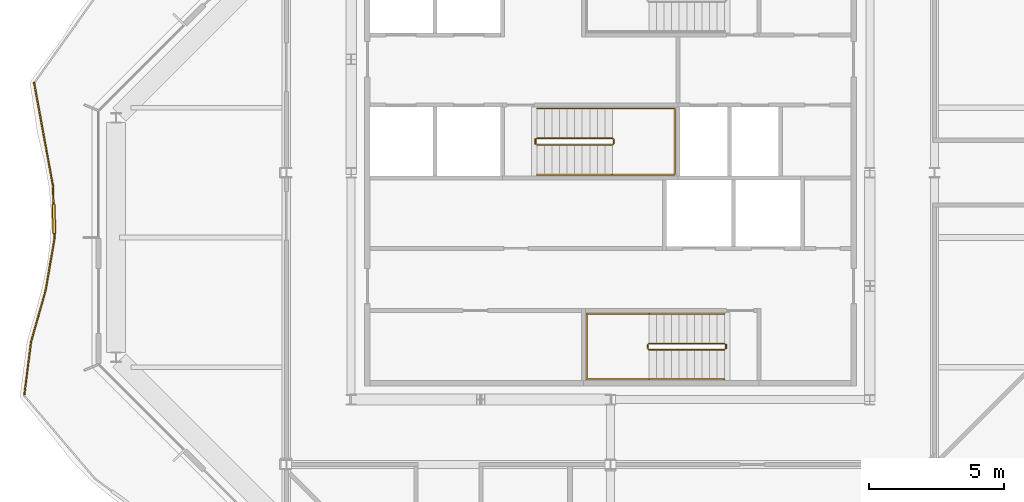
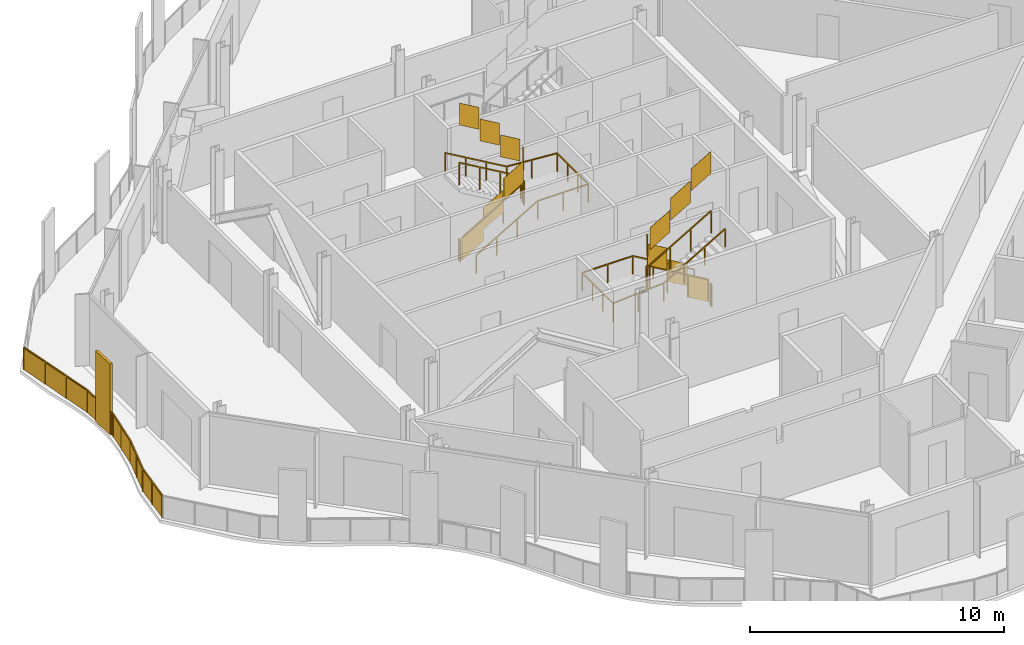
# One storey, part 14 of 17: 7 railings.
"""IFC4 building model written with IfcOpenShell, lengths in metres."""

from ifc_helpers import new_model, si_unit, direction, frame, origin, origin_2d, place, context, subcontext, project, spatial, polyline, rectangle, outline, extrude, material, type_object, element, save


model = new_model("IFC4")

# Units and contexts
model_context = context("Model", 3, precision=1e-05, world=origin(), true_north=direction((0.0, 1.0)))
body_context = subcontext(model_context, "Body", "Model", "MODEL_VIEW")
ifc_project = project(units=[si_unit("LENGTHUNIT", "METRE"), si_unit("AREAUNIT", "SQUARE_METRE"), si_unit("VOLUMEUNIT", "CUBIC_METRE"), si_unit("PLANEANGLEUNIT", "RADIAN"), si_unit("MASSUNIT", "GRAM", prefix="KILO")], contexts=[model_context])

# Site, building, storey
site_placement = place(None, origin())
site = spatial("IfcSite", under=ifc_project, at=site_placement, CompositionType="ELEMENT")
building_placement = place(site_placement, origin())
building = spatial("IfcBuilding", under=site, at=building_placement, Name="Cairn Pilgrim Tower", CompositionType="ELEMENT")
storey_placement = place(building_placement, frame((0.0, 0.0, 281.39990234375)))
storey = spatial("IfcBuildingStorey", under=building, at=storey_placement, Name="L72", CompositionType="ELEMENT", Elevation=281.39990234375)

# Railings
ifc_material_1 = material(Name="Bronze anodised aluminium rail, posts and fin screens with laminated glass infill", Category="aluminium")
railing_type_1 = type_object("IfcRailingType", Name="BALCONY GUARD WITH FIN SCREENS", PredefinedType="GUARDRAIL", material=ifc_material_1)
railing_1_placement = place(storey_placement, frame((-14.132568359375, 5.7138671875, 0.0)))
element("IfcRailing", 1, at=railing_1_placement, inside=storey, type_object=railing_type_1, Name="Balcony guard BGF-7 with fin screens", PredefinedType="GUARDRAIL", context=body_context, shape_type="SweptSolid", body=[
    extrude(rectangle(XDim=0.050048828125, YDim=0.050048828125, at=origin_2d()), frame((0.0, 0.0, 1.0751953125), z_axis=(0.180149515491, -0.98363923878, 0.0), x_axis=(0.98363923878, 0.180149515491, 0.0)), (0.0, 0.0, 1.0), 3.840576171875),
    extrude(rectangle(XDim=1.10009765625, YDim=0.110107421875, at=origin_2d()), frame((0.734375, -5.0244140625, 0.0), z_axis=(0.0, 0.0, 1.0), x_axis=(0.033974354372, -0.999422704988, 0.0)), (0.0, 0.0, 1.0), 3.39990234375),
    extrude(rectangle(XDim=0.050048828125, YDim=0.050048828125, at=origin_2d()), frame((0.69189453125, -3.77783203125, 1.0751953125), z_axis=(0.033974354372, -0.999422704988, 0.0), x_axis=(0.999422704988, 0.033974354372, 0.0)), (0.0, 0.0, 1.0), 0.697265625),
    extrude(rectangle(XDim=0.050048828125, YDim=0.050048828125, at=origin_2d()), frame((0.7529296875, -5.57421875, 1.0751953125), z_axis=(0.033974354372, -0.999422704988, 0.0), x_axis=(0.999422704988, 0.033974354372, 0.0)), (0.0, 0.0, 1.0), 0.150146484375),
    extrude(rectangle(XDim=0.050048828125, YDim=0.050048828125, at=origin_2d()), frame((0.758056640625, -5.72412109375, 1.0751953125), z_axis=(-0.168334625115, -0.985729909249, 0.0), x_axis=(0.985729909249, -0.168334625115, 0.0)), (0.0, 0.0, 1.0), 1.970947265625),
    extrude(rectangle(XDim=0.050048828125, YDim=0.050048828125, at=origin_2d()), frame((0.42626953125, -7.6669921875, 1.0751953125), z_axis=(-0.272211131733, -0.962237548509, 0.0), x_axis=(0.962237548509, -0.272211131733, 0.0)), (0.0, 0.0, 1.0), 1.991943359375),
    extrude(rectangle(XDim=0.050048828125, YDim=0.050048828125, at=origin_2d()), frame((-0.115966796875, -9.583740234375, 1.0751953125), z_axis=(-0.125506474074, -0.992092800581, 0.0), x_axis=(0.992092800581, -0.125506474074, 0.0)), (0.0, 0.0, 1.0), 1.939453125),
    extrude(rectangle(XDim=0.050048828125, YDim=0.050048828125, at=origin_2d()), origin(), (0.0, 0.0, 1.0), 1.050048828125),
    extrude(rectangle(XDim=0.050048828125, YDim=0.050048828125, at=origin_2d()), frame((0.230712890625, -1.25927734375, 0.0)), (0.0, 0.0, 1.0), 1.050048828125),
    extrude(rectangle(XDim=0.050048828125, YDim=0.050048828125, at=origin_2d()), frame((0.461181640625, -2.5185546875, 0.0)), (0.0, 0.0, 1.0), 1.050048828125),
    extrude(rectangle(XDim=0.050048828125, YDim=0.050048828125, at=origin_2d()), frame((0.69189453125, -3.77783203125, 0.0)), (0.0, 0.0, 1.0), 1.050048828125),
    extrude(rectangle(XDim=0.050048828125, YDim=0.050048828125, at=origin_2d()), frame((0.71484375, -4.44970703125, 0.0)), (0.0, 0.0, 1.0), 1.050048828125),
    extrude(rectangle(XDim=0.050048828125, YDim=0.050048828125, at=origin_2d()), frame((0.75390625, -5.59912109375, 0.0)), (0.0, 0.0, 1.0), 1.050048828125),
    extrude(rectangle(XDim=0.050048828125, YDim=0.050048828125, at=origin_2d()), frame((0.758056640625, -5.72412109375, 0.0)), (0.0, 0.0, 1.0), 1.050048828125),
    extrude(rectangle(XDim=0.050048828125, YDim=0.050048828125, at=origin_2d()), frame((0.59228515625, -6.695556640625, 0.0)), (0.0, 0.0, 1.0), 1.050048828125),
    extrude(rectangle(XDim=0.050048828125, YDim=0.050048828125, at=origin_2d()), frame((0.42626953125, -7.6669921875, 0.0)), (0.0, 0.0, 1.0), 1.050048828125),
    extrude(rectangle(XDim=0.050048828125, YDim=0.050048828125, at=origin_2d()), frame((0.1552734375, -8.62548828125, 0.0)), (0.0, 0.0, 1.0), 1.050048828125),
    extrude(rectangle(XDim=0.050048828125, YDim=0.050048828125, at=origin_2d()), frame((-0.115966796875, -9.583740234375, 0.0)), (0.0, 0.0, 1.0), 1.050048828125),
    extrude(rectangle(XDim=0.050048828125, YDim=0.050048828125, at=origin_2d()), frame((-0.23779296875, -10.5458984375, 0.0)), (0.0, 0.0, 1.0), 1.050048828125),
    extrude(rectangle(XDim=0.050048828125, YDim=0.050048828125, at=origin_2d()), frame((-0.359375, -11.5078125, 0.0)), (0.0, 0.0, 1.0), 1.050048828125),
    extrude(outline(polyline([(0.02490234375, 0.0), (1.255126953125, 0.0), (1.255126953125, 1.050048828125), (0.02490234375, 1.050048828125), (0.02490234375, 0.0)])), frame((0.005859375, 0.0009765625, 0.0), z_axis=(-0.98363923878, -0.180149515491, 0.0), x_axis=(0.180149515491, -0.98363923878, 0.0)), (0.0, 0.0, 1.0), 0.011962890625),
    extrude(outline(polyline([(0.02490234375, 0.0), (1.255126953125, 0.0), (1.255126953125, 1.050048828125), (0.02490234375, 1.050048828125), (0.02490234375, 0.0)])), frame((0.236572265625, -1.25830078125, 0.0), z_axis=(-0.98363923878, -0.180149515491, 0.0), x_axis=(0.180149515491, -0.98363923878, 0.0)), (0.0, 0.0, 1.0), 0.011962890625),
    extrude(outline(polyline([(0.02490234375, 0.0), (1.255126953125, 0.0), (1.255126953125, 1.050048828125), (0.02490234375, 1.050048828125), (0.02490234375, 0.0)])), frame((0.467041015625, -2.517578125, 0.0), z_axis=(-0.98363923878, -0.180149515491, 0.0), x_axis=(0.180149515491, -0.98363923878, 0.0)), (0.0, 0.0, 1.0), 0.011962890625),
    extrude(outline(polyline([(0.02490234375, 0.0), (0.647216796875, 0.0), (0.647216796875, 1.050048828125), (0.02490234375, 1.050048828125), (0.02490234375, 0.0)])), frame((0.69775390625, -3.777587890625, 0.0), z_axis=(-0.999422704988, -0.033974354372, 0.0), x_axis=(0.033974354372, -0.999422704988, 0.0)), (0.0, 0.0, 1.0), 0.011962890625),
    extrude(outline(polyline([(0.02490234375, 0.0), (0.10009765625, 0.0), (0.10009765625, 1.050048828125), (0.02490234375, 1.050048828125), (0.02490234375, 0.0)])), frame((0.759765625, -5.598876953125, 0.0), z_axis=(-0.999422704988, -0.033974354372, 0.0), x_axis=(0.033974354372, -0.999422704988, 0.0)), (0.0, 0.0, 1.0), 0.011962890625),
    extrude(outline(polyline([(0.02490234375, 0.0), (0.96044921875, 0.0), (0.96044921875, 1.050048828125), (0.02490234375, 1.050048828125), (0.02490234375, 0.0)])), frame((0.763916015625, -5.72509765625, 0.0), z_axis=(-0.985729909249, 0.168334625115, 0.0), x_axis=(-0.168334625115, -0.985729909249, 0.0)), (0.0, 0.0, 1.0), 0.011962890625),
    extrude(outline(polyline([(0.02490234375, 0.0), (0.96044921875, 0.0), (0.96044921875, 1.050048828125), (0.02490234375, 1.050048828125), (0.02490234375, 0.0)])), frame((0.59814453125, -6.696533203125, 0.0), z_axis=(-0.985729909249, 0.168334625115, 0.0), x_axis=(-0.168334625115, -0.985729909249, 0.0)), (0.0, 0.0, 1.0), 0.011962890625),
    extrude(outline(polyline([(0.02490234375, 0.0), (0.970947265625, 0.0), (0.970947265625, 1.050048828125), (0.02490234375, 1.050048828125), (0.02490234375, 0.0)])), frame((0.43212890625, -7.668701171875, 0.0), z_axis=(-0.962237548509, 0.272211131733, 0.0), x_axis=(-0.272211131733, -0.962237548509, 0.0)), (0.0, 0.0, 1.0), 0.011962890625),
    extrude(outline(polyline([(0.02490234375, 0.0), (0.970947265625, 0.0), (0.970947265625, 1.050048828125), (0.02490234375, 1.050048828125), (0.02490234375, 0.0)])), frame((0.160888671875, -8.626953125, 0.0), z_axis=(-0.962237548509, 0.272211131733, 0.0), x_axis=(-0.272211131733, -0.962237548509, 0.0)), (0.0, 0.0, 1.0), 0.011962890625),
    extrude(outline(polyline([(0.02490234375, 0.0), (0.944580078125, 0.0), (0.944580078125, 1.050048828125), (0.02490234375, 1.050048828125), (0.02490234375, 0.0)])), frame((-0.110107421875, -9.58447265625, 0.0), z_axis=(-0.992092800581, 0.125506474074, 0.0), x_axis=(-0.125506474074, -0.992092800581, 0.0)), (0.0, 0.0, 1.0), 0.011962890625),
    extrude(outline(polyline([(0.02490234375, 0.0), (0.944580078125, 0.0), (0.944580078125, 1.050048828125), (0.02490234375, 1.050048828125), (0.02490234375, 0.0)])), frame((-0.231689453125, -10.546630859375, 0.0), z_axis=(-0.992092800581, 0.125506474074, 0.0), x_axis=(-0.125506474074, -0.992092800581, 0.0)), (0.0, 0.0, 1.0), 0.011962890625),
])
ifc_material_2 = material(Name="Painted steel", Category="steel")
railing_type_2 = type_object("IfcRailingType", Name="STAIR GUARD 1100", PredefinedType="GUARDRAIL", material=ifc_material_2)
railing_2_placement = place(storey_placement, frame((11.425048828125, -3.925048828125, 0.163818359375)))
element("IfcRailing", 2, at=railing_2_placement, inside=storey, type_object=railing_type_2, Name="L72 ST-A stair guard 1", PredefinedType="GUARDRAIL", context=body_context, shape_type="SweptSolid", body=[
    extrude(rectangle(XDim=0.048095703125, YDim=0.048095703125, at=origin_2d()), frame((0.0, 0.0, 1.076171875), z_axis=(-0.863393664356, 0.0, 0.504530851732), x_axis=(0.0, -1.0, 0.0)), (0.0, 0.0, 1.0), 3.2431640625),
    extrude(rectangle(XDim=0.048095703125, YDim=0.048095703125, at=origin_2d()), frame((-2.800048828125, 0.0, 2.71240234375), z_axis=(-0.707106781187, -0.707106781187, 0.0), x_axis=(0.707106781187, -0.707106781187, 0.0)), (0.0, 0.0, 1.0), 0.07080078125),
    extrude(rectangle(XDim=0.048095703125, YDim=0.048095703125, at=origin_2d()), frame((-2.85009765625, -0.050048828125, 2.71240234375), z_axis=(0.0, -1.0, 0.0), x_axis=(1.0, 0.0, 0.0)), (0.0, 0.0, 1.0), 0.125),
    extrude(rectangle(XDim=0.048095703125, YDim=0.048095703125, at=origin_2d()), frame((-2.85009765625, -0.175048828125, 2.71240234375), z_axis=(0.280916556609, -0.279546231943, 0.91811752648), x_axis=(0.705375805398, 0.708833529934, 0.0)), (0.0, 0.0, 1.0), 0.17822265625),
    extrude(rectangle(XDim=0.048095703125, YDim=0.048095703125, at=origin_2d()), frame((-2.800048828125, -0.224853515625, 2.8759765625), z_axis=(0.863360870873, 0.0, 0.504586966384), x_axis=(0.0, 1.0, 0.0)), (0.0, 0.0, 1.0), 3.2431640625),
    extrude(rectangle(XDim=0.0419921875, YDim=0.0419921875, at=origin_2d()), origin(), (0.0, 0.0, 1.0), 1.052001953125),
    extrude(rectangle(XDim=0.0419921875, YDim=0.0419921875, at=origin_2d()), frame((-0.933349609375, 0.0, 0.54541015625)), (0.0, 0.0, 1.0), 1.052001953125),
    extrude(rectangle(XDim=0.0419921875, YDim=0.0419921875, at=origin_2d()), frame((-1.86669921875, 0.0, 1.0908203125)), (0.0, 0.0, 1.0), 1.052001953125),
    extrude(rectangle(XDim=0.0419921875, YDim=0.0419921875, at=origin_2d()), frame((-2.800048828125, 0.0, 1.63623046875)), (0.0, 0.0, 1.0), 1.052001953125),
    extrude(rectangle(XDim=0.0419921875, YDim=0.0419921875, at=origin_2d()), frame((-2.85009765625, -0.050048828125, 1.63623046875)), (0.0, 0.0, 1.0), 1.052001953125),
    extrude(rectangle(XDim=0.0419921875, YDim=0.0419921875, at=origin_2d()), frame((-2.85009765625, -0.175048828125, 1.63623046875)), (0.0, 0.0, 1.0), 1.052001953125),
    extrude(rectangle(XDim=0.0419921875, YDim=0.0419921875, at=origin_2d()), frame((-2.800048828125, -0.224853515625, 1.7998046875)), (0.0, 0.0, 1.0), 1.052001953125),
    extrude(rectangle(XDim=0.0419921875, YDim=0.0419921875, at=origin_2d()), frame((-1.86669921875, -0.224853515625, 2.34521484375)), (0.0, 0.0, 1.0), 1.052001953125),
    extrude(rectangle(XDim=0.0419921875, YDim=0.0419921875, at=origin_2d()), frame((-0.933349609375, -0.224853515625, 2.890869140625)), (0.0, 0.0, 1.0), 1.052001953125),
    extrude(rectangle(XDim=0.0419921875, YDim=0.0419921875, at=origin_2d()), frame((0.0, -0.224853515625, 3.436279296875)), (0.0, 0.0, 1.0), 1.052001953125),
    extrude(outline(polyline([(0.02099609375, 0.01220703125), (0.912353515625, 0.533203125), (0.912353515625, 1.585205078125), (0.02099609375, 1.064208984375), (0.02099609375, 0.01220703125)])), frame((0.0, -0.005859375, 0.0), z_axis=(0.0, 1.0, 0.0), x_axis=(-1.0, 0.0, 0.0)), (0.0, 0.0, 1.0), 0.011962890625),
    extrude(outline(polyline([(0.02099609375, 0.5576171875), (0.912353515625, 1.07861328125), (0.912353515625, 2.130615234375), (0.02099609375, 1.609619140625), (0.02099609375, 0.5576171875)])), frame((-0.933349609375, -0.005859375, 0.54541015625), z_axis=(0.0, 1.0, 0.0), x_axis=(-1.0, 0.0, 0.0)), (0.0, 0.0, 1.0), 0.011962890625),
    extrude(outline(polyline([(0.02099609375, 1.10302734375), (0.912353515625, 1.6240234375), (0.912353515625, 2.676025390625), (0.02099609375, 2.155029296875), (0.02099609375, 1.10302734375)])), frame((-1.86669921875, -0.005859375, 1.0908203125), z_axis=(0.0, 1.0, 0.0), x_axis=(-1.0, 0.0, 0.0)), (0.0, 0.0, 1.0), 0.011962890625),
    extrude(outline(polyline([(0.02099609375, 1.63623046875), (0.10400390625, 1.63623046875), (0.10400390625, 2.688232421875), (0.02099609375, 2.688232421875), (0.02099609375, 1.63623046875)])), frame((-2.84423828125, -0.050048828125, 1.63623046875), z_axis=(-1.0, 0.0, 0.0), x_axis=(0.0, -1.0, 0.0)), (0.0, 0.0, 1.0), 0.011962890625),
    extrude(outline(polyline([(0.02099609375, 1.81201171875), (0.912353515625, 2.3330078125), (0.912353515625, 3.385009765625), (0.02099609375, 2.864013671875), (0.02099609375, 1.81201171875)])), frame((-2.800048828125, -0.21875, 1.7998046875), z_axis=(0.0, -1.0, 0.0), x_axis=(1.0, 0.0, 0.0)), (0.0, 0.0, 1.0), 0.011962890625),
    extrude(outline(polyline([(0.02099609375, 2.357666015625), (0.912353515625, 2.87841796875), (0.912353515625, 3.930419921875), (0.02099609375, 3.40966796875), (0.02099609375, 2.357666015625)])), frame((-1.86669921875, -0.21875, 2.34521484375), z_axis=(0.0, -1.0, 0.0), x_axis=(1.0, 0.0, 0.0)), (0.0, 0.0, 1.0), 0.011962890625),
    extrude(outline(polyline([(0.02099609375, 2.903076171875), (0.912353515625, 3.424072265625), (0.912353515625, 4.47607421875), (0.02099609375, 3.955078125), (0.02099609375, 2.903076171875)])), frame((-0.933349609375, -0.21875, 2.890869140625), z_axis=(0.0, -1.0, 0.0), x_axis=(1.0, 0.0, 0.0)), (0.0, 0.0, 1.0), 0.011962890625),
])
railing_3_placement = place(storey_placement, frame((11.47509765625, -3.97509765625, 0.0)))
element("IfcRailing", 3, at=railing_3_placement, inside=storey, type_object=railing_type_2, Name="L72 ST-A stair guard 2", PredefinedType="GUARDRAIL", context=body_context, shape_type="SweptSolid", body=[
    extrude(rectangle(XDim=0.048095703125, YDim=0.048095703125, at=origin_2d()), frame((0.0, 0.0, 1.076171875), z_axis=(0.0, -1.0, 0.0), x_axis=(1.0, 0.0, 0.0)), (0.0, 0.0, 1.0), 0.125),
    extrude(rectangle(XDim=0.0419921875, YDim=0.0419921875, at=origin_2d()), origin(), (0.0, 0.0, 1.0), 1.052001953125),
    extrude(rectangle(XDim=0.0419921875, YDim=0.0419921875, at=origin_2d()), frame((0.0, -0.125, 0.0)), (0.0, 0.0, 1.0), 1.052001953125),
    extrude(outline(polyline([(0.02099609375, 0.0), (0.10400390625, 0.0), (0.10400390625, 1.052001953125), (0.02099609375, 1.052001953125), (0.02099609375, 0.0)])), frame((0.005859375, 0.0, 0.0), z_axis=(-1.0, 0.0, 0.0), x_axis=(0.0, -1.0, 0.0)), (0.0, 0.0, 1.0), 0.011962890625),
])
railing_4_placement = place(storey_placement, frame((4.47509765625, 3.425048828125, 0.163818359375)))
element("IfcRailing", 4, at=railing_4_placement, inside=storey, type_object=railing_type_2, Name="L72 ST-B stair guard 1", PredefinedType="GUARDRAIL", context=body_context, shape_type="SweptSolid", body=[
    extrude(rectangle(XDim=0.048095703125, YDim=0.048095703125, at=origin_2d()), frame((0.0, 0.0, 1.076171875), z_axis=(0.863374499697, 0.0, 0.504563646405), x_axis=(0.0, 1.0, 0.0)), (0.0, 0.0, 1.0), 3.242919921875),
    extrude(rectangle(XDim=0.048095703125, YDim=0.048095703125, at=origin_2d()), frame((2.7998046875, 0.0, 2.71240234375), z_axis=(0.707106781187, 0.707106781187, 0.0), x_axis=(-0.707106781187, 0.707106781187, 0.0)), (0.0, 0.0, 1.0), 0.07080078125),
    extrude(rectangle(XDim=0.048095703125, YDim=0.048095703125, at=origin_2d()), frame((2.849853515625, 0.050048828125, 2.71240234375), z_axis=(0.0, 1.0, 0.0), x_axis=(-1.0, 0.0, 0.0)), (0.0, 0.0, 1.0), 0.14990234375),
    extrude(rectangle(XDim=0.048095703125, YDim=0.048095703125, at=origin_2d()), frame((2.849853515625, 0.199951171875, 2.71240234375), z_axis=(-0.280808744504, 0.280808744504, 0.917765164963), x_axis=(-0.707106781187, -0.707106781187, 0.0)), (0.0, 0.0, 1.0), 0.17822265625),
    extrude(rectangle(XDim=0.048095703125, YDim=0.048095703125, at=origin_2d()), frame((2.7998046875, 0.25, 2.8759765625), z_axis=(-0.863341702679, 0.0, 0.504619762213), x_axis=(0.0, -1.0, 0.0)), (0.0, 0.0, 1.0), 3.242919921875),
    extrude(rectangle(XDim=0.0419921875, YDim=0.0419921875, at=origin_2d()), origin(), (0.0, 0.0, 1.0), 1.052001953125),
    extrude(rectangle(XDim=0.0419921875, YDim=0.0419921875, at=origin_2d()), frame((0.933349609375, 0.0, 0.54541015625)), (0.0, 0.0, 1.0), 1.052001953125),
    extrude(rectangle(XDim=0.0419921875, YDim=0.0419921875, at=origin_2d()), frame((1.866455078125, 0.0, 1.0908203125)), (0.0, 0.0, 1.0), 1.052001953125),
    extrude(rectangle(XDim=0.0419921875, YDim=0.0419921875, at=origin_2d()), frame((2.7998046875, 0.0, 1.63623046875)), (0.0, 0.0, 1.0), 1.052001953125),
    extrude(rectangle(XDim=0.0419921875, YDim=0.0419921875, at=origin_2d()), frame((2.849853515625, 0.050048828125, 1.63623046875)), (0.0, 0.0, 1.0), 1.052001953125),
    extrude(rectangle(XDim=0.0419921875, YDim=0.0419921875, at=origin_2d()), frame((2.849853515625, 0.199951171875, 1.63623046875)), (0.0, 0.0, 1.0), 1.052001953125),
    extrude(rectangle(XDim=0.0419921875, YDim=0.0419921875, at=origin_2d()), frame((2.7998046875, 0.25, 1.7998046875)), (0.0, 0.0, 1.0), 1.052001953125),
    extrude(rectangle(XDim=0.0419921875, YDim=0.0419921875, at=origin_2d()), frame((1.866455078125, 0.25, 2.34521484375)), (0.0, 0.0, 1.0), 1.052001953125),
    extrude(rectangle(XDim=0.0419921875, YDim=0.0419921875, at=origin_2d()), frame((0.933349609375, 0.25, 2.890869140625)), (0.0, 0.0, 1.0), 1.052001953125),
    extrude(rectangle(XDim=0.0419921875, YDim=0.0419921875, at=origin_2d()), frame((0.0, 0.25, 3.436279296875)), (0.0, 0.0, 1.0), 1.052001953125),
    extrude(outline(polyline([(0.02099609375, 0.01220703125), (0.912353515625, 0.533203125), (0.912353515625, 1.585205078125), (0.02099609375, 1.064208984375), (0.02099609375, 0.01220703125)])), frame((0.0, 0.005859375, 0.0), z_axis=(0.0, -1.0, 0.0), x_axis=(1.0, 0.0, 0.0)), (0.0, 0.0, 1.0), 0.011962890625),
    extrude(outline(polyline([(0.02099609375, 0.5576171875), (0.912353515625, 1.07861328125), (0.912353515625, 2.130615234375), (0.02099609375, 1.609619140625), (0.02099609375, 0.5576171875)])), frame((0.933349609375, 0.005859375, 0.54541015625), z_axis=(0.0, -1.0, 0.0), x_axis=(1.0, 0.0, 0.0)), (0.0, 0.0, 1.0), 0.011962890625),
    extrude(outline(polyline([(0.02099609375, 1.10302734375), (0.912353515625, 1.6240234375), (0.912353515625, 2.676025390625), (0.02099609375, 2.155029296875), (0.02099609375, 1.10302734375)])), frame((1.866455078125, 0.005859375, 1.0908203125), z_axis=(0.0, -1.0, 0.0), x_axis=(1.0, 0.0, 0.0)), (0.0, 0.0, 1.0), 0.011962890625),
    extrude(outline(polyline([(0.02099609375, 1.63623046875), (0.12890625, 1.63623046875), (0.12890625, 2.688232421875), (0.02099609375, 2.688232421875), (0.02099609375, 1.63623046875)])), frame((2.84375, 0.050048828125, 1.63623046875), z_axis=(1.0, 0.0, 0.0), x_axis=(0.0, 1.0, 0.0)), (0.0, 0.0, 1.0), 0.011962890625),
    extrude(outline(polyline([(0.02099609375, 1.81201171875), (0.912353515625, 2.3330078125), (0.912353515625, 3.385009765625), (0.02099609375, 2.864013671875), (0.02099609375, 1.81201171875)])), frame((2.7998046875, 0.244140625, 1.7998046875), z_axis=(0.0, 1.0, 0.0), x_axis=(-1.0, 0.0, 0.0)), (0.0, 0.0, 1.0), 0.011962890625),
    extrude(outline(polyline([(0.02099609375, 2.357666015625), (0.912353515625, 2.87841796875), (0.912353515625, 3.930419921875), (0.02099609375, 3.40966796875), (0.02099609375, 2.357666015625)])), frame((1.866455078125, 0.244140625, 2.34521484375), z_axis=(0.0, 1.0, 0.0), x_axis=(-1.0, 0.0, 0.0)), (0.0, 0.0, 1.0), 0.011962890625),
    extrude(outline(polyline([(0.02099609375, 2.903076171875), (0.912353515625, 3.424072265625), (0.912353515625, 4.47607421875), (0.02099609375, 3.955078125), (0.02099609375, 2.903076171875)])), frame((0.933349609375, 0.244140625, 2.890869140625), z_axis=(0.0, 1.0, 0.0), x_axis=(-1.0, 0.0, 0.0)), (0.0, 0.0, 1.0), 0.011962890625),
])
railing_5_placement = place(storey_placement, frame((4.425048828125, 3.47509765625, 0.0)))
element("IfcRailing", 5, at=railing_5_placement, inside=storey, type_object=railing_type_2, Name="L72 ST-B stair guard 2", PredefinedType="GUARDRAIL", context=body_context, shape_type="SweptSolid", body=[
    extrude(rectangle(XDim=0.048095703125, YDim=0.048095703125, at=origin_2d()), frame((0.0, 0.0, 1.076171875), z_axis=(0.0, 1.0, 0.0), x_axis=(-1.0, 0.0, 0.0)), (0.0, 0.0, 1.0), 0.14990234375),
    extrude(rectangle(XDim=0.0419921875, YDim=0.0419921875, at=origin_2d()), origin(), (0.0, 0.0, 1.0), 1.052001953125),
    extrude(rectangle(XDim=0.0419921875, YDim=0.0419921875, at=origin_2d()), frame((0.0, 0.14990234375, 0.0)), (0.0, 0.0, 1.0), 1.052001953125),
    extrude(outline(polyline([(0.02099609375, 0.0), (0.12890625, 0.0), (0.12890625, 1.052001953125), (0.02099609375, 1.052001953125), (0.02099609375, 0.0)])), frame((-0.005859375, 0.0, 0.0), z_axis=(1.0, 0.0, 0.0), x_axis=(0.0, 1.0, 0.0)), (0.0, 0.0, 1.0), 0.011962890625),
])
railing_type_3 = type_object("IfcRailingType", Name="STAIR HANDRAIL 900", PredefinedType="HANDRAIL", material=ifc_material_2)
railing_6_placement = place(storey_placement, frame((11.425048828125, -2.824951171875, 0.163818359375)))
element("IfcRailing", 6, at=railing_6_placement, inside=storey, type_object=railing_type_3, Name="L72 ST-A stair handrail 1", PredefinedType="HANDRAIL", context=body_context, shape_type="SweptSolid", body=[
    extrude(rectangle(XDim=0.048095703125, YDim=0.048095703125, at=origin_2d()), frame((0.0, 0.0, 0.8759765625), z_axis=(-0.863393664356, 0.0, 0.504530851732), x_axis=(0.0, -1.0, 0.0)), (0.0, 0.0, 1.0), 3.2431640625),
    extrude(rectangle(XDim=0.048095703125, YDim=0.048095703125, at=origin_2d()), frame((-2.800048828125, 0.0, 2.51220703125), z_axis=(-1.0, 0.0, 0.0), x_axis=(0.0, -1.0, 0.0)), (0.0, 0.0, 1.0), 2.300048828125),
    extrude(rectangle(XDim=0.048095703125, YDim=0.048095703125, at=origin_2d()), frame((-5.10009765625, 0.0, 2.51220703125), z_axis=(0.0, -1.0, 0.0), x_axis=(1.0, 0.0, 0.0)), (0.0, 0.0, 1.0), 2.425048828125),
    extrude(rectangle(XDim=0.048095703125, YDim=0.048095703125, at=origin_2d()), frame((-5.10009765625, -2.425048828125, 2.51220703125), z_axis=(0.997480687736, 0.0, 0.070938548008), x_axis=(0.0, 1.0, 0.0)), (0.0, 0.0, 1.0), 2.305908203125),
    extrude(rectangle(XDim=0.048095703125, YDim=0.048095703125, at=origin_2d()), frame((-2.800048828125, -2.425048828125, 2.67578125), z_axis=(0.863360870873, 0.0, 0.504586966384), x_axis=(0.0, 1.0, 0.0)), (0.0, 0.0, 1.0), 3.2431640625),
    extrude(rectangle(XDim=0.0419921875, YDim=0.0419921875, at=origin_2d()), origin(), (0.0, 0.0, 1.0), 0.851806640625),
    extrude(rectangle(XDim=0.0419921875, YDim=0.0419921875, at=origin_2d()), frame((-0.933349609375, 0.0, 0.54541015625)), (0.0, 0.0, 1.0), 0.851806640625),
    extrude(rectangle(XDim=0.0419921875, YDim=0.0419921875, at=origin_2d()), frame((-1.86669921875, 0.0, 1.0908203125)), (0.0, 0.0, 1.0), 0.851806640625),
    extrude(rectangle(XDim=0.0419921875, YDim=0.0419921875, at=origin_2d()), frame((-2.800048828125, 0.0, 1.63623046875)), (0.0, 0.0, 1.0), 0.851806640625),
    extrude(rectangle(XDim=0.0419921875, YDim=0.0419921875, at=origin_2d()), frame((-3.9501953125, 0.0, 1.63623046875)), (0.0, 0.0, 1.0), 0.851806640625),
    extrude(rectangle(XDim=0.0419921875, YDim=0.0419921875, at=origin_2d()), frame((-5.10009765625, 0.0, 1.63623046875)), (0.0, 0.0, 1.0), 0.851806640625),
    extrude(rectangle(XDim=0.0419921875, YDim=0.0419921875, at=origin_2d()), frame((-5.10009765625, -0.808349609375, 1.63623046875)), (0.0, 0.0, 1.0), 0.851806640625),
    extrude(rectangle(XDim=0.0419921875, YDim=0.0419921875, at=origin_2d()), frame((-5.10009765625, -1.61669921875, 1.63623046875)), (0.0, 0.0, 1.0), 0.851806640625),
    extrude(rectangle(XDim=0.0419921875, YDim=0.0419921875, at=origin_2d()), frame((-5.10009765625, -2.425048828125, 1.63623046875)), (0.0, 0.0, 1.0), 0.851806640625),
    extrude(rectangle(XDim=0.0419921875, YDim=0.0419921875, at=origin_2d()), frame((-3.9501953125, -2.425048828125, 1.718017578125)), (0.0, 0.0, 1.0), 0.851806640625),
    extrude(rectangle(XDim=0.0419921875, YDim=0.0419921875, at=origin_2d()), frame((-2.800048828125, -2.425048828125, 1.7998046875)), (0.0, 0.0, 1.0), 0.851806640625),
    extrude(rectangle(XDim=0.0419921875, YDim=0.0419921875, at=origin_2d()), frame((-1.86669921875, -2.425048828125, 2.34521484375)), (0.0, 0.0, 1.0), 0.851806640625),
    extrude(rectangle(XDim=0.0419921875, YDim=0.0419921875, at=origin_2d()), frame((-0.933349609375, -2.425048828125, 2.890869140625)), (0.0, 0.0, 1.0), 0.851806640625),
    extrude(rectangle(XDim=0.0419921875, YDim=0.0419921875, at=origin_2d()), frame((0.0, -2.425048828125, 3.436279296875)), (0.0, 0.0, 1.0), 0.851806640625),
])
railing_7_placement = place(storey_placement, frame((4.47509765625, 2.324951171875, 0.163818359375)))
element("IfcRailing", 7, at=railing_7_placement, inside=storey, type_object=railing_type_3, Name="L72 ST-B stair handrail 1", PredefinedType="HANDRAIL", context=body_context, shape_type="SweptSolid", body=[
    extrude(rectangle(XDim=0.048095703125, YDim=0.048095703125, at=origin_2d()), frame((0.0, 0.0, 0.8759765625), z_axis=(0.863374499697, 0.0, 0.504563646405), x_axis=(0.0, 1.0, 0.0)), (0.0, 0.0, 1.0), 3.242919921875),
    extrude(rectangle(XDim=0.048095703125, YDim=0.048095703125, at=origin_2d()), frame((2.7998046875, 0.0, 2.51220703125), z_axis=(1.0, 0.0, 0.0), x_axis=(0.0, 1.0, 0.0)), (0.0, 0.0, 1.0), 2.300048828125),
    extrude(rectangle(XDim=0.048095703125, YDim=0.048095703125, at=origin_2d()), frame((5.099853515625, 0.0, 2.51220703125), z_axis=(0.0, 1.0, 0.0), x_axis=(-1.0, 0.0, 0.0)), (0.0, 0.0, 1.0), 2.449951171875),
    extrude(rectangle(XDim=0.048095703125, YDim=0.048095703125, at=origin_2d()), frame((5.099853515625, 2.449951171875, 2.51220703125), z_axis=(-0.997480687736, 0.0, 0.070938548008), x_axis=(0.0, -1.0, 0.0)), (0.0, 0.0, 1.0), 2.305908203125),
    extrude(rectangle(XDim=0.048095703125, YDim=0.048095703125, at=origin_2d()), frame((2.7998046875, 2.449951171875, 2.67578125), z_axis=(-0.863341702679, 0.0, 0.504619762213), x_axis=(0.0, -1.0, 0.0)), (0.0, 0.0, 1.0), 3.242919921875),
    extrude(rectangle(XDim=0.0419921875, YDim=0.0419921875, at=origin_2d()), origin(), (0.0, 0.0, 1.0), 0.851806640625),
    extrude(rectangle(XDim=0.0419921875, YDim=0.0419921875, at=origin_2d()), frame((0.933349609375, 0.0, 0.54541015625)), (0.0, 0.0, 1.0), 0.851806640625),
    extrude(rectangle(XDim=0.0419921875, YDim=0.0419921875, at=origin_2d()), frame((1.866455078125, 0.0, 1.0908203125)), (0.0, 0.0, 1.0), 0.851806640625),
    extrude(rectangle(XDim=0.0419921875, YDim=0.0419921875, at=origin_2d()), frame((2.7998046875, 0.0, 1.63623046875)), (0.0, 0.0, 1.0), 0.851806640625),
    extrude(rectangle(XDim=0.0419921875, YDim=0.0419921875, at=origin_2d()), frame((3.94970703125, 0.0, 1.63623046875)), (0.0, 0.0, 1.0), 0.851806640625),
    extrude(rectangle(XDim=0.0419921875, YDim=0.0419921875, at=origin_2d()), frame((5.099853515625, 0.0, 1.63623046875)), (0.0, 0.0, 1.0), 0.851806640625),
    extrude(rectangle(XDim=0.0419921875, YDim=0.0419921875, at=origin_2d()), frame((5.099853515625, 0.816650390625, 1.63623046875)), (0.0, 0.0, 1.0), 0.851806640625),
    extrude(rectangle(XDim=0.0419921875, YDim=0.0419921875, at=origin_2d()), frame((5.099853515625, 1.63330078125, 1.63623046875)), (0.0, 0.0, 1.0), 0.851806640625),
    extrude(rectangle(XDim=0.0419921875, YDim=0.0419921875, at=origin_2d()), frame((5.099853515625, 2.449951171875, 1.63623046875)), (0.0, 0.0, 1.0), 0.851806640625),
    extrude(rectangle(XDim=0.0419921875, YDim=0.0419921875, at=origin_2d()), frame((3.94970703125, 2.449951171875, 1.718017578125)), (0.0, 0.0, 1.0), 0.851806640625),
    extrude(rectangle(XDim=0.0419921875, YDim=0.0419921875, at=origin_2d()), frame((2.7998046875, 2.449951171875, 1.7998046875)), (0.0, 0.0, 1.0), 0.851806640625),
    extrude(rectangle(XDim=0.0419921875, YDim=0.0419921875, at=origin_2d()), frame((1.866455078125, 2.449951171875, 2.34521484375)), (0.0, 0.0, 1.0), 0.851806640625),
    extrude(rectangle(XDim=0.0419921875, YDim=0.0419921875, at=origin_2d()), frame((0.933349609375, 2.449951171875, 2.890869140625)), (0.0, 0.0, 1.0), 0.851806640625),
    extrude(rectangle(XDim=0.0419921875, YDim=0.0419921875, at=origin_2d()), frame((0.0, 2.449951171875, 3.436279296875)), (0.0, 0.0, 1.0), 0.851806640625),
])

save(model, "model.ifc")
